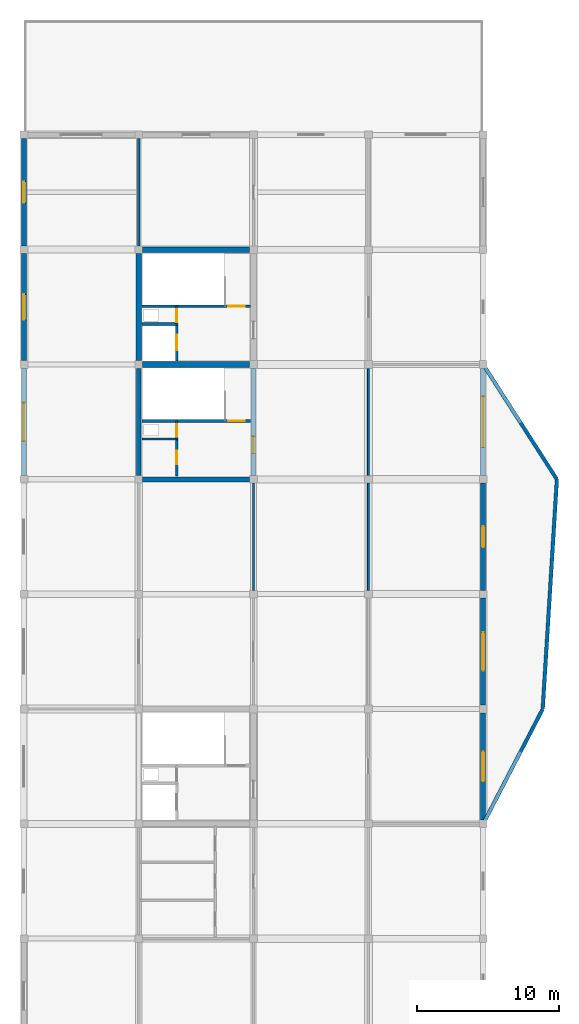
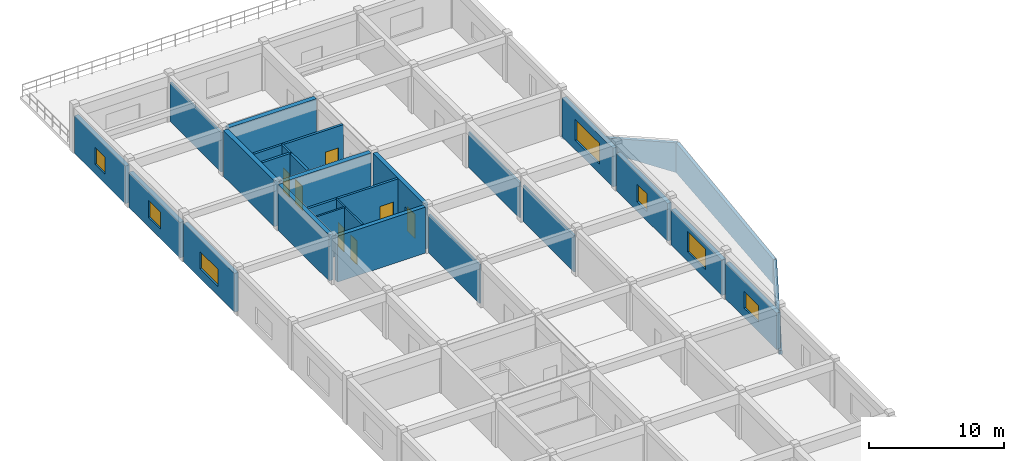
# One storey, part 5 of 7: 28 walls, 7 doors, 7 windows, 14 openings.
"""IFC4 building model written with IfcOpenShell, lengths in metres."""

from ifc_helpers import new_model, si_unit, direction, frame, frame_2d, origin, place, context, subcontext, project, spatial, polyline, rectangle, outline, extrude, material, layer, layer_set, type_object, element, fill, save


model = new_model("IFC4")

# Units and contexts
model_context = context("Model", 3, precision=1e-05, world=origin(), true_north=direction((0.0, 1.0)))
body_context = subcontext(model_context, "Body", "Model", "MODEL_VIEW")
ifc_project = project(units=[si_unit("LENGTHUNIT", "METRE"), si_unit("AREAUNIT", "SQUARE_METRE"), si_unit("VOLUMEUNIT", "CUBIC_METRE"), si_unit("PLANEANGLEUNIT", "RADIAN"), si_unit("MASSUNIT", "GRAM", prefix="KILO")], contexts=[model_context])

# Site, building, storey
site_placement = place(None, origin())
site = spatial("IfcSite", under=ifc_project, at=site_placement, CompositionType="ELEMENT")
building_placement = place(site_placement, origin())
building = spatial("IfcBuilding", under=site, at=building_placement, Name="Vaudrelin Polytechnic", CompositionType="ELEMENT")
storey_placement = place(building_placement, frame((0.0, 0.0, 31.7900390625)))
storey = spatial("IfcBuildingStorey", under=building, at=storey_placement, Name="L07", CompositionType="ELEMENT", Elevation=31.7900390625)

# Walls
ifc_material_1 = material(Name="Precast concrete 35 MPa with standing-seam zinc rainscreen", Category="concrete")
ifc_layer_1 = layer(ifc_material_1, 0.260009765625)
ifc_layer_set_1 = layer_set([ifc_layer_1], Name="Precast concrete 35 MPa with standing-seam zinc rainscreen")
wall_type_1 = type_object("IfcWallType", Name="WAL-EW-CLER260", PredefinedType="STANDARD", material=ifc_layer_set_1)
wall_1_placement = place(storey_placement, frame((170.109130859375, 64.81787109375, -0.35009765625), z_axis=(0.0, 0.0, 1.0), x_axis=(0.460334423204, 0.887745582255, 0.0)))
element("IfcWall", 1, at=wall_1_placement, inside=storey, type_object=wall_type_1, Name="Deconstructivist pod clerestory E_OR2-1", PredefinedType="STANDARD", context=body_context, shape_type="SweptSolid", body=[
    extrude(outline(polyline([(0.0, 0.0), (9.083984375, 0.0), (9.083984375, 2.258056640625), (0.0, 0.360107421875), (0.0, 0.0)])), frame((0.0, 0.1298828125, 0.0), z_axis=(0.0, -1.0, 0.0), x_axis=(1.0, 0.0, 0.0)), (0.0, 0.0, 1.0), 0.260009765625),
])
wall_2_placement = place(storey_placement, frame((174.30126953125, 72.919921875, -0.35009765625), z_axis=(0.0, 0.0, 1.0), x_axis=(0.061612238025, 0.998100161369, 0.0)))
element("IfcWall", 2, at=wall_2_placement, inside=storey, type_object=wall_type_1, Name="Deconstructivist pod clerestory E_OR2-2", PredefinedType="STANDARD", context=body_context, shape_type="SweptSolid", body=[
    extrude(outline(polyline([(0.0, 0.0), (16.19091796875, 0.0), (16.19091796875, 2.7099609375), (0.0, 2.258056640625), (0.0, 0.0)])), frame((0.0, 0.1298828125, 0.0), z_axis=(0.0, -1.0, 0.0), x_axis=(1.0, 0.0, 0.0)), (0.0, 0.0, 1.0), 0.260009765625),
])
wall_3_placement = place(storey_placement, frame((175.289306640625, 89.11669921875, -0.35009765625), z_axis=(0.0, 0.0, 1.0), x_axis=(-0.54023485523, 0.841514290547, 0.0)))
element("IfcWall", 3, at=wall_3_placement, inside=storey, type_object=wall_type_1, Name="Deconstructivist pod clerestory E_OR2-3", PredefinedType="STANDARD", context=body_context, shape_type="SweptSolid", body=[
    extrude(outline(polyline([(0.0, 0.0), (9.585693359375, 0.0), (9.58544921875, 0.360107421875), (0.0, 2.7099609375), (0.0, 0.0)])), frame((0.0, 0.1298828125, 0.0), z_axis=(0.0, -1.0, 0.0), x_axis=(1.0, 0.0, 0.0)), (0.0, 0.0, 1.0), 0.260009765625),
])

# Wall, opening, window
ifc_material_2 = material(Name="Precast concrete 35 MPa with terracotta baguette screen", Category="masonry")
ifc_layer_2 = layer(ifc_material_2, 0.35009765625)
ifc_layer_set_2 = layer_set([ifc_layer_2], Name="Precast concrete 35 MPa with terracotta baguette screen")
wall_type_2 = type_object("IfcWallType", Name="WAL-EW-TERR350", PredefinedType="STANDARD", material=ifc_layer_set_2)
wall_4_placement = place(storey_placement, frame((170.10009765625, 65.072998046875, 0.0), z_axis=(0.0, 0.0, 1.0), x_axis=(0.0, 1.0, 0.0)))
wall_4 = element("IfcWall", 4, at=wall_4_placement, inside=storey, type_object=wall_type_2, Name="Exterior wall L07 E_V4_04", PredefinedType="STANDARD", context=body_context, shape_type="SweptSolid", body=[
    extrude(rectangle(XDim=7.553955078125, YDim=0.35009765625, at=frame_2d((3.77685546875, 0.0))), origin(), (0.0, 0.0, 1.0), 3.31201171875),
])
opening_1_placement = place(wall_4_placement, frame((2.72705078125, 0.0, 0.85009765625)))
opening_1 = element("IfcOpeningElement", 5, at=opening_1_placement, cuts=wall_4, Name="Opening W-L07-E-V4-05", PredefinedType="OPENING", context=body_context, shape_type="SweptSolid", body=[
    extrude(rectangle(XDim=2.10009765625, YDim=1.5, at=frame_2d((1.050048828125, 0.75))), frame((0.0, 0.18505859375, 0.0), z_axis=(0.0, -1.0, 0.0), x_axis=(1.0, 0.0, 0.0)), (0.0, 0.0, 1.0), 0.3701171875),
])
ifc_material_3 = material(Name="Thermally broken aluminium frame with triple low-e glazing", Category="aluminium")
window_type_1 = type_object("IfcWindowType", Name="WIN-WN-05", PartitioningType="SINGLE_PANEL", PredefinedType="WINDOW", material=ifc_material_3)
window_1_placement = place(opening_1_placement, origin())
window_1 = element("IfcWindow", 6, at=window_1_placement, inside=storey, type_object=window_type_1, Name="Facade window L07-E_V4_04", OverallHeight=1.5, OverallWidth=2.10009765625, PartitioningType="SINGLE_PANEL", PredefinedType="WINDOW", context=body_context, shape_type="SweptSolid", body=[
    extrude(rectangle(XDim=2.10009765625, YDim=1.5, at=frame_2d((1.050048828125, 0.75))), frame((0.0, 0.030029296875, 0.0), z_axis=(0.0, -1.0, 0.0), x_axis=(1.0, 0.0, 0.0)), (0.0, 0.0, 1.0), 0.06005859375),
])
fill(opening_1, window_1)

wall_5_placement = place(storey_placement, frame((170.10009765625, 73.173095703125, 0.0), z_axis=(0.0, 0.0, 1.0), x_axis=(0.0, 1.0, 0.0)))
wall_5 = element("IfcWall", 7, at=wall_5_placement, inside=storey, type_object=wall_type_2, Name="Exterior wall L07 E_V4_05", PredefinedType="STANDARD", context=body_context, shape_type="SweptSolid", body=[
    extrude(rectangle(XDim=7.553955078125, YDim=0.35009765625, at=frame_2d((3.77685546875, 0.0))), origin(), (0.0, 0.0, 1.0), 3.2119140625),
])
opening_2_placement = place(wall_5_placement, frame((2.427001953125, 0.0, 0.85009765625)))
opening_2 = element("IfcOpeningElement", 8, at=opening_2_placement, cuts=wall_5, Name="Opening W-L07-E-V4-06", PredefinedType="OPENING", context=body_context, shape_type="SweptSolid", body=[
    extrude(rectangle(XDim=2.699951171875, YDim=1.85009765625, at=frame_2d((1.35009765625, 0.925048828125))), frame((0.0, 0.18505859375, 0.0), z_axis=(0.0, -1.0, 0.0), x_axis=(1.0, 0.0, 0.0)), (0.0, 0.0, 1.0), 0.3701171875),
])
window_type_2 = type_object("IfcWindowType", Name="WIN-WN-06", PartitioningType="SINGLE_PANEL", PredefinedType="WINDOW", material=ifc_material_3)
window_2_placement = place(opening_2_placement, origin())
window_2 = element("IfcWindow", 9, at=window_2_placement, inside=storey, type_object=window_type_2, Name="Facade window L07-E_V4_05", OverallHeight=1.85009765625, OverallWidth=2.699951171875, PartitioningType="SINGLE_PANEL", PredefinedType="WINDOW", context=body_context, shape_type="SweptSolid", body=[
    extrude(rectangle(XDim=2.699951171875, YDim=1.85009765625, at=frame_2d((1.35009765625, 0.925048828125))), frame((0.0, 0.030029296875, 0.0), z_axis=(0.0, -1.0, 0.0), x_axis=(1.0, 0.0, 0.0)), (0.0, 0.0, 1.0), 0.06005859375),
])
fill(opening_2, window_2)

wall_6_placement = place(storey_placement, frame((170.10009765625, 81.27294921875, 0.0), z_axis=(0.0, 0.0, 1.0), x_axis=(0.0, 1.0, 0.0)))
wall_6 = element("IfcWall", 10, at=wall_6_placement, inside=storey, type_object=wall_type_2, Name="Exterior wall L07 E_V4_06", PredefinedType="STANDARD", context=body_context, shape_type="SweptSolid", body=[
    extrude(rectangle(XDim=7.553955078125, YDim=0.35009765625, at=frame_2d((3.77685546875, 0.0))), origin(), (0.0, 0.0, 1.0), 3.411865234375),
])
opening_3_placement = place(wall_6_placement, frame((3.027099609375, 0.0, 0.85009765625)))
opening_3 = element("IfcOpeningElement", 11, at=opening_3_placement, cuts=wall_6, Name="Opening W-L07-E-V4-07", PredefinedType="OPENING", context=body_context, shape_type="SweptSolid", body=[
    extrude(rectangle(XDim=1.5, YDim=1.60009765625, at=frame_2d((0.75, 0.800048828125))), frame((0.0, 0.18505859375, 0.0), z_axis=(0.0, -1.0, 0.0), x_axis=(1.0, 0.0, 0.0)), (0.0, 0.0, 1.0), 0.3701171875),
])
window_type_3 = type_object("IfcWindowType", Name="WIN-WN-07", PartitioningType="SINGLE_PANEL", PredefinedType="WINDOW", material=ifc_material_3)
window_3_placement = place(opening_3_placement, origin())
window_3 = element("IfcWindow", 12, at=window_3_placement, inside=storey, type_object=window_type_3, Name="Facade window L07-E_V4_06", OverallHeight=1.60009765625, OverallWidth=1.5, PartitioningType="SINGLE_PANEL", PredefinedType="WINDOW", context=body_context, shape_type="SweptSolid", body=[
    extrude(rectangle(XDim=1.5, YDim=1.60009765625, at=frame_2d((0.75, 0.800048828125))), frame((0.0, 0.030029296875, 0.0), z_axis=(0.0, -1.0, 0.0), x_axis=(1.0, 0.0, 0.0)), (0.0, 0.0, 1.0), 0.06005859375),
])
fill(opening_3, window_3)

wall_7_placement = place(storey_placement, frame((170.10009765625, 89.373046875, 0.0), z_axis=(0.0, 0.0, 1.0), x_axis=(0.0, 1.0, 0.0)))
wall_7 = element("IfcWall", 13, at=wall_7_placement, inside=storey, type_object=wall_type_2, Name="Exterior wall L07 E_V4_07", PredefinedType="STANDARD", context=body_context, shape_type="SweptSolid", body=[
    extrude(rectangle(XDim=7.553955078125, YDim=0.35009765625, at=frame_2d((3.77685546875, 0.0))), origin(), (0.0, 0.0, 1.0), 3.511962890625),
])
opening_4_placement = place(wall_7_placement, frame((1.97705078125, 0.0, 0.85009765625)))
opening_4 = element("IfcOpeningElement", 14, at=opening_4_placement, cuts=wall_7, Name="Opening W-L07-E-V4-08", PredefinedType="OPENING", context=body_context, shape_type="SweptSolid", body=[
    extrude(rectangle(XDim=3.60009765625, YDim=1.89990234375, at=frame_2d((1.800048828125, 0.949951171875))), frame((0.0, 0.18505859375, 0.0), z_axis=(0.0, -1.0, 0.0), x_axis=(1.0, 0.0, 0.0)), (0.0, 0.0, 1.0), 0.3701171875),
])
window_type_4 = type_object("IfcWindowType", Name="WIN-WN-08", PartitioningType="SINGLE_PANEL", PredefinedType="WINDOW", material=ifc_material_3)
window_4_placement = place(opening_4_placement, origin())
window_4 = element("IfcWindow", 15, at=window_4_placement, inside=storey, type_object=window_type_4, Name="Facade window L07-E_V4_07", OverallHeight=1.89990234375, OverallWidth=3.60009765625, PartitioningType="SINGLE_PANEL", PredefinedType="WINDOW", context=body_context, shape_type="SweptSolid", body=[
    extrude(rectangle(XDim=3.60009765625, YDim=1.89990234375, at=frame_2d((1.800048828125, 0.949951171875))), frame((0.0, 0.030029296875, 0.0), z_axis=(0.0, -1.0, 0.0), x_axis=(1.0, 0.0, 0.0)), (0.0, 0.0, 1.0), 0.06005859375),
])
fill(opening_4, window_4)

wall_8_placement = place(storey_placement, frame((137.699951171875, 89.373046875, 0.0), z_axis=(0.0, 0.0, 1.0), x_axis=(0.0, 1.0, 0.0)))
wall_8 = element("IfcWall", 16, at=wall_8_placement, inside=storey, type_object=wall_type_2, Name="Exterior wall L07 W_V4_07", PredefinedType="STANDARD", context=body_context, shape_type="SweptSolid", body=[
    extrude(rectangle(XDim=7.553955078125, YDim=0.35009765625, at=frame_2d((3.77685546875, 0.0))), origin(), (0.0, 0.0, 1.0), 3.511962890625),
])
opening_5_placement = place(wall_8_placement, frame((2.427001953125, 0.0, 0.85009765625)))
opening_5 = element("IfcOpeningElement", 17, at=opening_5_placement, cuts=wall_8, Name="Opening W-L07-W-V4-08", PredefinedType="OPENING", context=body_context, shape_type="SweptSolid", body=[
    extrude(rectangle(XDim=2.699951171875, YDim=1.550048828125, at=frame_2d((1.35009765625, 0.77490234375))), frame((0.0, 0.18505859375, 0.0), z_axis=(0.0, -1.0, 0.0), x_axis=(1.0, 0.0, 0.0)), (0.0, 0.0, 1.0), 0.3701171875),
])
window_type_5 = type_object("IfcWindowType", Name="WIN-WN-22", PartitioningType="SINGLE_PANEL", PredefinedType="WINDOW", material=ifc_material_3)
window_5_placement = place(opening_5_placement, origin())
window_5 = element("IfcWindow", 18, at=window_5_placement, inside=storey, type_object=window_type_5, Name="Facade window L07-W_V4_07", OverallHeight=1.550048828125, OverallWidth=2.699951171875, PartitioningType="SINGLE_PANEL", PredefinedType="WINDOW", context=body_context, shape_type="SweptSolid", body=[
    extrude(rectangle(XDim=2.699951171875, YDim=1.550048828125, at=frame_2d((1.35009765625, 0.77490234375))), frame((0.0, 0.030029296875, 0.0), z_axis=(0.0, -1.0, 0.0), x_axis=(1.0, 0.0, 0.0)), (0.0, 0.0, 1.0), 0.06005859375),
])
fill(opening_5, window_5)

wall_9_placement = place(storey_placement, frame((137.699951171875, 97.472900390625, 0.0), z_axis=(0.0, 0.0, 1.0), x_axis=(0.0, 1.0, 0.0)))
wall_9 = element("IfcWall", 19, at=wall_9_placement, inside=storey, type_object=wall_type_2, Name="Exterior wall L07 W_V4_08", PredefinedType="STANDARD", context=body_context, shape_type="SweptSolid", body=[
    extrude(rectangle(XDim=7.55419921875, YDim=0.35009765625, at=frame_2d((3.777099609375, 0.0))), origin(), (0.0, 0.0, 1.0), 3.2119140625),
])
opening_6_placement = place(wall_9_placement, frame((2.876953125, 0.0, 0.85009765625)))
opening_6 = element("IfcOpeningElement", 20, at=opening_6_placement, cuts=wall_9, Name="Opening W-L07-W-V4-09", PredefinedType="OPENING", context=body_context, shape_type="SweptSolid", body=[
    extrude(rectangle(XDim=1.800048828125, YDim=1.550048828125, at=frame_2d((0.89990234375, 0.77490234375))), frame((0.0, 0.18505859375, 0.0), z_axis=(0.0, -1.0, 0.0), x_axis=(1.0, 0.0, 0.0)), (0.0, 0.0, 1.0), 0.3701171875),
])
window_type_6 = type_object("IfcWindowType", Name="WIN-WN-23", PartitioningType="SINGLE_PANEL", PredefinedType="WINDOW", material=ifc_material_3)
window_6_placement = place(opening_6_placement, origin())
window_6 = element("IfcWindow", 21, at=window_6_placement, inside=storey, type_object=window_type_6, Name="Facade window L07-W_V4_08", OverallHeight=1.550048828125, OverallWidth=1.800048828125, PartitioningType="SINGLE_PANEL", PredefinedType="WINDOW", context=body_context, shape_type="SweptSolid", body=[
    extrude(rectangle(XDim=1.800048828125, YDim=1.550048828125, at=frame_2d((0.89990234375, 0.77490234375))), frame((0.0, 0.030029296875, 0.0), z_axis=(0.0, -1.0, 0.0), x_axis=(1.0, 0.0, 0.0)), (0.0, 0.0, 1.0), 0.06005859375),
])
fill(opening_6, window_6)

wall_10_placement = place(storey_placement, frame((137.699951171875, 105.572998046875, 0.0), z_axis=(0.0, 0.0, 1.0), x_axis=(0.0, 1.0, 0.0)))
wall_10 = element("IfcWall", 22, at=wall_10_placement, inside=storey, type_object=wall_type_2, Name="Exterior wall L07 W_V4_09", PredefinedType="STANDARD", context=body_context, shape_type="SweptSolid", body=[
    extrude(rectangle(XDim=7.553955078125, YDim=0.35009765625, at=frame_2d((3.77685546875, 0.0))), origin(), (0.0, 0.0, 1.0), 3.411865234375),
])
opening_7_placement = place(wall_10_placement, frame((3.027099609375, 0.0, 0.85009765625)))
opening_7 = element("IfcOpeningElement", 23, at=opening_7_placement, cuts=wall_10, Name="Opening W-L07-W-V4-10", PredefinedType="OPENING", context=body_context, shape_type="SweptSolid", body=[
    extrude(rectangle(XDim=1.5, YDim=1.550048828125, at=frame_2d((0.75, 0.77490234375))), frame((0.0, 0.18505859375, 0.0), z_axis=(0.0, -1.0, 0.0), x_axis=(1.0, 0.0, 0.0)), (0.0, 0.0, 1.0), 0.3701171875),
])
window_type_7 = type_object("IfcWindowType", Name="WIN-WN-24", PartitioningType="SINGLE_PANEL", PredefinedType="WINDOW", material=ifc_material_3)
window_7_placement = place(opening_7_placement, origin())
window_7 = element("IfcWindow", 24, at=window_7_placement, inside=storey, type_object=window_type_7, Name="Facade window L07-W_V4_09", OverallHeight=1.550048828125, OverallWidth=1.5, PartitioningType="SINGLE_PANEL", PredefinedType="WINDOW", context=body_context, shape_type="SweptSolid", body=[
    extrude(rectangle(XDim=1.5, YDim=1.550048828125, at=frame_2d((0.75, 0.77490234375))), frame((0.0, 0.030029296875, 0.0), z_axis=(0.0, -1.0, 0.0), x_axis=(1.0, 0.0, 0.0)), (0.0, 0.0, 1.0), 0.06005859375),
])
fill(opening_7, window_7)

# Wall, opening, door
ifc_material_4 = material(Name="Fire-rated steel-stud gypsum compartment wall", Category="steel")
ifc_layer_3 = layer(ifc_material_4, 0.14990234375)
ifc_layer_set_3 = layer_set([ifc_layer_3], Name="Fire-rated steel-stud gypsum compartment wall")
wall_type_3 = type_object("IfcWallType", Name="WAL-PW-FIRE60", PredefinedType="PARTITIONING", material=ifc_layer_set_3)
wall_11_placement = place(storey_placement, frame((148.47998046875, 100.050048828125, 0.0), z_axis=(0.0, 0.0, 1.0), x_axis=(0.0, 1.0, 0.0)))
wall_11 = element("IfcWall", 25, at=wall_11_placement, inside=storey, type_object=wall_type_3, Name="Core C6 riser enclosure wall L07", PredefinedType="PARTITIONING", context=body_context, shape_type="SweptSolid", body=[
    extrude(rectangle(XDim=1.260009765625, YDim=0.14990234375, at=frame_2d((0.6298828125, 0.0))), origin(), (0.0, 0.0, 1.0), 4.161865234375),
])
opening_8_placement = place(wall_11_placement, frame((0.139892578125, 0.0, 0.0)))
opening_8 = element("IfcOpeningElement", 26, at=opening_8_placement, cuts=wall_11, Name="Opening D-L07-110", PredefinedType="OPENING", context=body_context, shape_type="SweptSolid", body=[
    extrude(rectangle(XDim=0.89990234375, YDim=2.14990234375, at=frame_2d((0.449951171875, 1.074951171875))), frame((0.0, 0.0849609375, 0.0), z_axis=(0.0, -1.0, 0.0), x_axis=(1.0, 0.0, 0.0)), (0.0, 0.0, 1.0), 0.169921875),
])
ifc_material_5 = material(Name="Pressed galvanised steel acoustic leaf", Category="steel")
door_type_1 = type_object("IfcDoorType", Name="DOR-ID-RSR1", OperationType="NOTDEFINED", PredefinedType="DOOR", material=ifc_material_5)
door_1_placement = place(opening_8_placement, origin())
door_1 = element("IfcDoor", 27, at=door_1_placement, inside=storey, type_object=door_type_1, Name="Core C6 riser access door L07", OperationType="SINGLE_SWING_RIGHT", OverallHeight=2.14990234375, OverallWidth=0.89990234375, PredefinedType="DOOR", context=body_context, shape_type="SweptSolid", body=[
    extrude(rectangle(XDim=0.89990234375, YDim=2.14990234375, at=frame_2d((0.449951171875, 1.074951171875))), frame((0.0, 0.02490234375, 0.0), z_axis=(0.0, -1.0, 0.0), x_axis=(1.0, 0.0, 0.0)), (0.0, 0.0, 1.0), 0.050048828125),
])
fill(opening_8, door_1)

wall_12_placement = place(storey_placement, frame((148.47998046875, 91.949951171875, 0.0), z_axis=(0.0, 0.0, 1.0), x_axis=(0.0, 1.0, 0.0)))
wall_12 = element("IfcWall", 28, at=wall_12_placement, inside=storey, type_object=wall_type_3, Name="Core C13 riser enclosure wall L07", PredefinedType="PARTITIONING", context=body_context, shape_type="SweptSolid", body=[
    extrude(rectangle(XDim=1.260009765625, YDim=0.14990234375, at=frame_2d((0.6298828125, 0.0))), origin(), (0.0, 0.0, 1.0), 4.161865234375),
])
opening_9_placement = place(wall_12_placement, frame((0.139892578125, 0.0, 0.0)))
opening_9 = element("IfcOpeningElement", 29, at=opening_9_placement, cuts=wall_12, Name="Opening D-L07-327", PredefinedType="OPENING", context=body_context, shape_type="SweptSolid", body=[
    extrude(rectangle(XDim=0.89990234375, YDim=2.14990234375, at=frame_2d((0.449951171875, 1.074951171875))), frame((0.0, 0.0849609375, 0.0), z_axis=(0.0, -1.0, 0.0), x_axis=(1.0, 0.0, 0.0)), (0.0, 0.0, 1.0), 0.169921875),
])
door_2_placement = place(opening_9_placement, origin())
door_2 = element("IfcDoor", 30, at=door_2_placement, inside=storey, type_object=door_type_1, Name="Core C13 riser access door L07", OperationType="SINGLE_SWING_RIGHT", OverallHeight=2.14990234375, OverallWidth=0.89990234375, PredefinedType="DOOR", context=body_context, shape_type="SweptSolid", body=[
    extrude(rectangle(XDim=0.89990234375, YDim=2.14990234375, at=frame_2d((0.449951171875, 1.074951171875))), frame((0.0, 0.02490234375, 0.0), z_axis=(0.0, -1.0, 0.0), x_axis=(1.0, 0.0, 0.0)), (0.0, 0.0, 1.0), 0.050048828125),
])
fill(opening_9, door_2)

# Wall
wall_13_placement = place(storey_placement, frame((146.02001953125, 91.949951171875, 0.0), z_axis=(0.0, 0.0, 1.0), x_axis=(1.0, 0.0, 0.0)))
element("IfcWall", 31, at=wall_13_placement, inside=storey, type_object=wall_type_3, Name="Core C13 riser south fire wall L07", PredefinedType="PARTITIONING", context=body_context, shape_type="SweptSolid", body=[
    extrude(rectangle(XDim=2.530029296875, YDim=0.14990234375, at=frame_2d((1.26513671875, 0.0))), origin(), (0.0, 0.0, 1.0), 4.161865234375),
])

# Wall, opening, door
wall_14_placement = place(storey_placement, frame((148.47998046875, 89.35009765625, 0.0), z_axis=(0.0, 0.0, 1.0), x_axis=(0.0, 1.0, 0.0)))
wall_14 = element("IfcWall", 32, at=wall_14_placement, inside=storey, type_object=wall_type_3, Name="Core C13 custodial enclosure wall L07", PredefinedType="PARTITIONING", context=body_context, shape_type="SweptSolid", body=[
    extrude(rectangle(XDim=2.599853515625, YDim=0.14990234375, at=frame_2d((1.2998046875, 0.0))), origin(), (0.0, 0.0, 1.0), 4.161865234375),
])
opening_10_placement = place(wall_14_placement, frame((0.800048828125, 0.0, 0.0)))
opening_10 = element("IfcOpeningElement", 33, at=opening_10_placement, cuts=wall_14, Name="Opening D-L07-328", PredefinedType="OPENING", context=body_context, shape_type="SweptSolid", body=[
    extrude(rectangle(XDim=0.949951171875, YDim=2.14990234375, at=frame_2d((0.47509765625, 1.074951171875))), frame((0.0, 0.0849609375, 0.0), z_axis=(0.0, -1.0, 0.0), x_axis=(1.0, 0.0, 0.0)), (0.0, 0.0, 1.0), 0.169921875),
])
door_type_2 = type_object("IfcDoorType", Name="DOR-ID-STR1", OperationType="NOTDEFINED", PredefinedType="DOOR", material=ifc_material_5)
door_3_placement = place(opening_10_placement, origin())
door_3 = element("IfcDoor", 34, at=door_3_placement, inside=storey, type_object=door_type_2, Name="Core C13 custodial door L07", OperationType="SINGLE_SWING_RIGHT", OverallHeight=2.14990234375, OverallWidth=0.949951171875, PredefinedType="DOOR", context=body_context, shape_type="SweptSolid", body=[
    extrude(rectangle(XDim=0.949951171875, YDim=2.14990234375, at=frame_2d((0.47509765625, 1.074951171875))), frame((0.0, 0.02490234375, 0.0), z_axis=(0.0, -1.0, 0.0), x_axis=(1.0, 0.0, 0.0)), (0.0, 0.0, 1.0), 0.050048828125),
])
fill(opening_10, door_3)

# Walls
ifc_material_6 = material(Name="Acoustic steel-stud office & study room partition", Category="steel")
ifc_layer_4 = layer(ifc_material_6, 0.135009765625)
ifc_layer_set_4 = layer_set([ifc_layer_4], Name="Acoustic steel-stud office & study room partition")
wall_type_4 = type_object("IfcWallType", Name="WAL-PW-OFF135", PredefinedType="PARTITIONING", material=ifc_layer_set_4)
wall_15_placement = place(storey_placement, frame((162.0, 81.27294921875, 0.0), z_axis=(0.0, 0.0, 1.0), x_axis=(0.0, 1.0, 0.0)))
element("IfcWall", 35, at=wall_15_placement, inside=storey, type_object=wall_type_4, Name="Partition L07-008 W", PredefinedType="PARTITIONING", context=body_context, shape_type="SweptSolid", body=[
    extrude(rectangle(XDim=7.553955078125, YDim=0.135009765625, at=frame_2d((3.77685546875, 0.0))), origin(), (0.0, 0.0, 1.0), 3.31201171875),
])
wall_16_placement = place(storey_placement, frame((162.0, 89.373046875, 0.0), z_axis=(0.0, 0.0, 1.0), x_axis=(0.0, 1.0, 0.0)))
element("IfcWall", 36, at=wall_16_placement, inside=storey, type_object=wall_type_4, Name="Partition L07-008 W", PredefinedType="PARTITIONING", context=body_context, shape_type="SweptSolid", body=[
    extrude(rectangle(XDim=7.553955078125, YDim=0.135009765625, at=frame_2d((3.77685546875, 0.0))), origin(), (0.0, 0.0, 1.0), 3.2119140625),
])
ifc_material_7 = material(Name="Pin-up plywood & acoustic gypsum studio partition", Category="wood")
ifc_layer_5 = layer(ifc_material_7, 0.14990234375)
ifc_layer_set_5 = layer_set([ifc_layer_5], Name="Pin-up plywood & acoustic gypsum studio partition")
wall_type_5 = type_object("IfcWallType", Name="WAL-PW-STU150", PredefinedType="PARTITIONING", material=ifc_layer_set_5)
wall_17_placement = place(storey_placement, frame((145.800048828125, 105.572998046875, 0.0), z_axis=(0.0, 0.0, 1.0), x_axis=(0.0, 1.0, 0.0)))
element("IfcWall", 37, at=wall_17_placement, inside=storey, type_object=wall_type_5, Name="Partition L07-003 E", PredefinedType="PARTITIONING", context=body_context, shape_type="SweptSolid", body=[
    extrude(rectangle(XDim=7.553955078125, YDim=0.14990234375, at=frame_2d((3.77685546875, 0.0))), origin(), (0.0, 0.0, 1.0), 3.56201171875),
])
wall_18_placement = place(storey_placement, frame((153.89990234375, 81.27294921875, 0.0), z_axis=(0.0, 0.0, 1.0), x_axis=(0.0, 1.0, 0.0)))
element("IfcWall", 38, at=wall_18_placement, inside=storey, type_object=wall_type_5, Name="Partition L07-004 E", PredefinedType="PARTITIONING", context=body_context, shape_type="SweptSolid", body=[
    extrude(rectangle(XDim=7.553955078125, YDim=0.14990234375, at=frame_2d((3.77685546875, 0.0))), origin(), (0.0, 0.0, 1.0), 3.511962890625),
])

# Wall, opening, door
ifc_material_8 = material(Name="Concrete 40 MPa", Category="concrete")
ifc_layer_6 = layer(ifc_material_8, 0.199951171875)
ifc_layer_set_6 = layer_set([ifc_layer_6], Name="Concrete 40 MPa")
wall_type_6 = type_object("IfcWallType", Name="WAL-SW-CORE200", PredefinedType="SHEAR", material=ifc_layer_set_6)
wall_19_placement = place(storey_placement, frame((146.02001953125, 101.31005859375, 0.0), z_axis=(0.0, 0.0, 1.0), x_axis=(1.0, 0.0, 0.0)))
wall_19 = element("IfcWall", 39, at=wall_19_placement, inside=storey, type_object=wall_type_6, Name="Core C6 stair enclosure wall L07", PredefinedType="SHEAR", context=body_context, shape_type="SweptSolid", body=[
    extrude(rectangle(XDim=7.659912109375, YDim=0.199951171875, at=frame_2d((3.830078125, 0.0))), origin(), (0.0, 0.0, 1.0), 4.161865234375),
])
opening_11_placement = place(wall_19_placement, frame((6.110107421875, 0.0, 0.0)))
opening_11 = element("IfcOpeningElement", 40, at=opening_11_placement, cuts=wall_19, Name="Opening D-L07-109", PredefinedType="OPENING", context=body_context, shape_type="SweptSolid", body=[
    extrude(rectangle(XDim=1.14990234375, YDim=2.199951171875, at=frame_2d((0.574951171875, 1.10009765625))), frame((0.0, 0.10986328125, 0.0), z_axis=(0.0, -1.0, 0.0), x_axis=(1.0, 0.0, 0.0)), (0.0, 0.0, 1.0), 0.219970703125),
])
door_type_3 = type_object("IfcDoorType", Name="DOR-ID-ST1", OperationType="NOTDEFINED", PredefinedType="DOOR", material=ifc_material_5)
door_4_placement = place(opening_11_placement, origin())
door_4 = element("IfcDoor", 41, at=door_4_placement, inside=storey, type_object=door_type_3, Name="Core C6 exit stair door L07", OperationType="SINGLE_SWING_LEFT", OverallHeight=2.199951171875, OverallWidth=1.14990234375, PredefinedType="DOOR", context=body_context, shape_type="SweptSolid", body=[
    extrude(rectangle(XDim=1.14990234375, YDim=2.199951171875, at=frame_2d((0.574951171875, 1.10009765625))), frame((0.0, 0.02490234375, 0.0), z_axis=(0.0, -1.0, 0.0), x_axis=(1.0, 0.0, 0.0)), (0.0, 0.0, 1.0), 0.050048828125),
])
fill(opening_11, door_4)

wall_20_placement = place(storey_placement, frame((148.47998046875, 97.449951171875, 0.0), z_axis=(0.0, 0.0, 1.0), x_axis=(0.0, 1.0, 0.0)))
wall_20 = element("IfcWall", 42, at=wall_20_placement, inside=storey, type_object=wall_type_6, Name="Lift LF-06 shaft front wall L07", PredefinedType="SHEAR", context=body_context, shape_type="SweptSolid", body=[
    extrude(rectangle(XDim=2.60009765625, YDim=0.199951171875, at=frame_2d((1.300048828125, 0.0))), origin(), (0.0, 0.0, 1.0), 4.161865234375),
])
opening_12_placement = place(wall_20_placement, frame((0.75, 0.0, 0.0)))
opening_12 = element("IfcOpeningElement", 43, at=opening_12_placement, cuts=wall_20, Name="Opening LD-LF-06-L07", PredefinedType="OPENING", context=body_context, shape_type="SweptSolid", body=[
    extrude(rectangle(XDim=1.10009765625, YDim=2.199951171875, at=frame_2d((0.550048828125, 1.10009765625))), frame((0.0, 0.10986328125, 0.0), z_axis=(0.0, -1.0, 0.0), x_axis=(1.0, 0.0, 0.0)), (0.0, 0.0, 1.0), 0.219970703125),
])
ifc_material_9 = material(Name="Brushed stainless steel AISI 304", Category="steel")
door_type_4 = type_object("IfcDoorType", Name="DOR-LD-PAX", OperationType="SLIDING_TO_LEFT", PredefinedType="DOOR", material=ifc_material_9)
door_5_placement = place(opening_12_placement, origin())
door_5 = element("IfcDoor", 44, at=door_5_placement, inside=storey, type_object=door_type_4, Name="Lift LF-06 landing door L07", OperationType="SLIDING_TO_LEFT", OverallHeight=2.199951171875, OverallWidth=1.10009765625, PredefinedType="DOOR", context=body_context, shape_type="SweptSolid", body=[
    extrude(rectangle(XDim=1.10009765625, YDim=2.199951171875, at=frame_2d((0.550048828125, 1.10009765625))), frame((0.0, 0.02490234375, 0.0), z_axis=(0.0, -1.0, 0.0), x_axis=(1.0, 0.0, 0.0)), (0.0, 0.0, 1.0), 0.050048828125),
])
fill(opening_12, door_5)

# Wall
wall_21_placement = place(storey_placement, frame((146.02001953125, 100.050048828125, 0.0), z_axis=(0.0, 0.0, 1.0), x_axis=(1.0, 0.0, 0.0)))
element("IfcWall", 45, at=wall_21_placement, inside=storey, type_object=wall_type_6, Name="Lift LF-06 shaft north wall L07", PredefinedType="SHEAR", context=body_context, shape_type="SweptSolid", body=[
    extrude(rectangle(XDim=2.56005859375, YDim=0.199951171875, at=frame_2d((1.280029296875, 0.0))), origin(), (0.0, 0.0, 1.0), 4.161865234375),
])

# Wall, opening, door
wall_22_placement = place(storey_placement, frame((146.02001953125, 93.2099609375, 0.0), z_axis=(0.0, 0.0, 1.0), x_axis=(1.0, 0.0, 0.0)))
wall_22 = element("IfcWall", 46, at=wall_22_placement, inside=storey, type_object=wall_type_6, Name="Core C13 stair enclosure wall L07", PredefinedType="SHEAR", context=body_context, shape_type="SweptSolid", body=[
    extrude(rectangle(XDim=7.659912109375, YDim=0.199951171875, at=frame_2d((3.830078125, 0.0))), origin(), (0.0, 0.0, 1.0), 4.161865234375),
])
opening_13_placement = place(wall_22_placement, frame((6.110107421875, 0.0, 0.0)))
opening_13 = element("IfcOpeningElement", 47, at=opening_13_placement, cuts=wall_22, Name="Opening D-L07-326", PredefinedType="OPENING", context=body_context, shape_type="SweptSolid", body=[
    extrude(rectangle(XDim=1.14990234375, YDim=2.199951171875, at=frame_2d((0.574951171875, 1.10009765625))), frame((0.0, 0.10986328125, 0.0), z_axis=(0.0, -1.0, 0.0), x_axis=(1.0, 0.0, 0.0)), (0.0, 0.0, 1.0), 0.219970703125),
])
door_6_placement = place(opening_13_placement, origin())
door_6 = element("IfcDoor", 48, at=door_6_placement, inside=storey, type_object=door_type_3, Name="Core C13 exit stair door L07", OperationType="SINGLE_SWING_LEFT", OverallHeight=2.199951171875, OverallWidth=1.14990234375, PredefinedType="DOOR", context=body_context, shape_type="SweptSolid", body=[
    extrude(rectangle(XDim=1.14990234375, YDim=2.199951171875, at=frame_2d((0.574951171875, 1.10009765625))), frame((0.0, 0.02490234375, 0.0), z_axis=(0.0, -1.0, 0.0), x_axis=(1.0, 0.0, 0.0)), (0.0, 0.0, 1.0), 0.050048828125),
])
fill(opening_13, door_6)

# Wall
ifc_material_10 = material(Name="Concrete 50 MPa", Category="concrete")
ifc_layer_7 = layer(ifc_material_10, 0.35009765625)
ifc_layer_set_7 = layer_set([ifc_layer_7], Name="Concrete 50 MPa")
wall_type_7 = type_object("IfcWallType", Name="WAL-SW-CORE350", PredefinedType="SHEAR", material=ifc_layer_set_7)
wall_23_placement = place(storey_placement, frame((145.800048828125, 89.373046875, 0.0), z_axis=(0.0, 0.0, 1.0), x_axis=(0.0, 1.0, 0.0)))
element("IfcWall", 49, at=wall_23_placement, inside=storey, type_object=wall_type_7, Name="Core C13 W shear wall L07", PredefinedType="SHEAR", context=body_context, shape_type="SweptSolid", body=[
    extrude(rectangle(XDim=7.553955078125, YDim=0.35009765625, at=frame_2d((3.77685546875, 0.0))), origin(), (0.0, 0.0, 1.0), 4.161865234375),
])

# Wall, opening, door
wall_24_placement = place(storey_placement, frame((153.89990234375, 89.373046875, 0.0), z_axis=(0.0, 0.0, 1.0), x_axis=(0.0, 1.0, 0.0)))
wall_24 = element("IfcWall", 50, at=wall_24_placement, inside=storey, type_object=wall_type_7, Name="Core C13 E shear wall L07", PredefinedType="SHEAR", context=body_context, shape_type="SweptSolid", body=[
    extrude(rectangle(XDim=7.553955078125, YDim=0.35009765625, at=frame_2d((3.77685546875, 0.0))), origin(), (0.0, 0.0, 1.0), 4.161865234375),
])
opening_14_placement = place(wall_24_placement, frame((1.550048828125, 0.0, 0.0)))
opening_14 = element("IfcOpeningElement", 51, at=opening_14_placement, cuts=wall_24, Name="Opening D-L07-325", PredefinedType="OPENING", context=body_context, shape_type="SweptSolid", body=[
    extrude(rectangle(XDim=1.199951171875, YDim=2.199951171875, at=frame_2d((0.60009765625, 1.10009765625))), frame((0.0, 0.18505859375, 0.0), z_axis=(0.0, -1.0, 0.0), x_axis=(1.0, 0.0, 0.0)), (0.0, 0.0, 1.0), 0.3701171875),
])
door_type_5 = type_object("IfcDoorType", Name="DOR-ID-LB1", OperationType="NOTDEFINED", PredefinedType="DOOR", material=ifc_material_5)
door_7_placement = place(opening_14_placement, origin())
door_7 = element("IfcDoor", 52, at=door_7_placement, inside=storey, type_object=door_type_5, Name="Core C13 lobby fire door L07", OperationType="SINGLE_SWING_LEFT", OverallHeight=2.199951171875, OverallWidth=1.199951171875, PredefinedType="DOOR", context=body_context, shape_type="SweptSolid", body=[
    extrude(rectangle(XDim=1.199951171875, YDim=2.199951171875, at=frame_2d((0.60009765625, 1.10009765625))), frame((0.0, 0.02490234375, 0.0), z_axis=(0.0, -1.0, 0.0), x_axis=(1.0, 0.0, 0.0)), (0.0, 0.0, 1.0), 0.050048828125),
])
fill(opening_14, door_7)

# Walls
wall_25_placement = place(storey_placement, frame((146.072998046875, 89.10009765625, 0.0), z_axis=(0.0, 0.0, 1.0), x_axis=(1.0, 0.0, 0.0)))
element("IfcWall", 53, at=wall_25_placement, inside=storey, type_object=wall_type_7, Name="Core C13 S shear wall L07", PredefinedType="SHEAR", context=body_context, shape_type="SweptSolid", body=[
    extrude(rectangle(XDim=7.553955078125, YDim=0.35009765625, at=frame_2d((3.77685546875, 0.0))), origin(), (0.0, 0.0, 1.0), 4.161865234375),
])
ifc_layer_8 = layer(ifc_material_10, 0.39990234375)
ifc_layer_set_8 = layer_set([ifc_layer_8], Name="Concrete 50 MPa")
wall_type_8 = type_object("IfcWallType", Name="WAL-SW-CORE400", PredefinedType="SHEAR", material=ifc_layer_set_8)
wall_26_placement = place(storey_placement, frame((146.072998046875, 105.300048828125, 0.0), z_axis=(0.0, 0.0, 1.0), x_axis=(1.0, 0.0, 0.0)))
element("IfcWall", 54, at=wall_26_placement, inside=storey, type_object=wall_type_8, Name="Core C6 N shear wall L07", PredefinedType="SHEAR", context=body_context, shape_type="SweptSolid", body=[
    extrude(rectangle(XDim=7.553955078125, YDim=0.39990234375, at=frame_2d((3.77685546875, 0.0))), origin(), (0.0, 0.0, 1.0), 4.161865234375),
])
wall_27_placement = place(storey_placement, frame((145.800048828125, 97.472900390625, 0.0), z_axis=(0.0, 0.0, 1.0), x_axis=(0.0, 1.0, 0.0)))
element("IfcWall", 55, at=wall_27_placement, inside=storey, type_object=wall_type_8, Name="Core C6 W shear wall L07", PredefinedType="SHEAR", context=body_context, shape_type="SweptSolid", body=[
    extrude(rectangle(XDim=7.55419921875, YDim=0.39990234375, at=frame_2d((3.777099609375, 0.0))), origin(), (0.0, 0.0, 1.0), 4.161865234375),
])
wall_28_placement = place(storey_placement, frame((146.072998046875, 97.199951171875, 0.0), z_axis=(0.0, 0.0, 1.0), x_axis=(1.0, 0.0, 0.0)))
element("IfcWall", 56, at=wall_28_placement, inside=storey, type_object=wall_type_8, Name="Core C6 S shear wall L07", PredefinedType="SHEAR", context=body_context, shape_type="SweptSolid", body=[
    extrude(rectangle(XDim=7.553955078125, YDim=0.39990234375, at=frame_2d((3.77685546875, 0.0))), origin(), (0.0, 0.0, 1.0), 4.161865234375),
])

save(model, "model.ifc")
